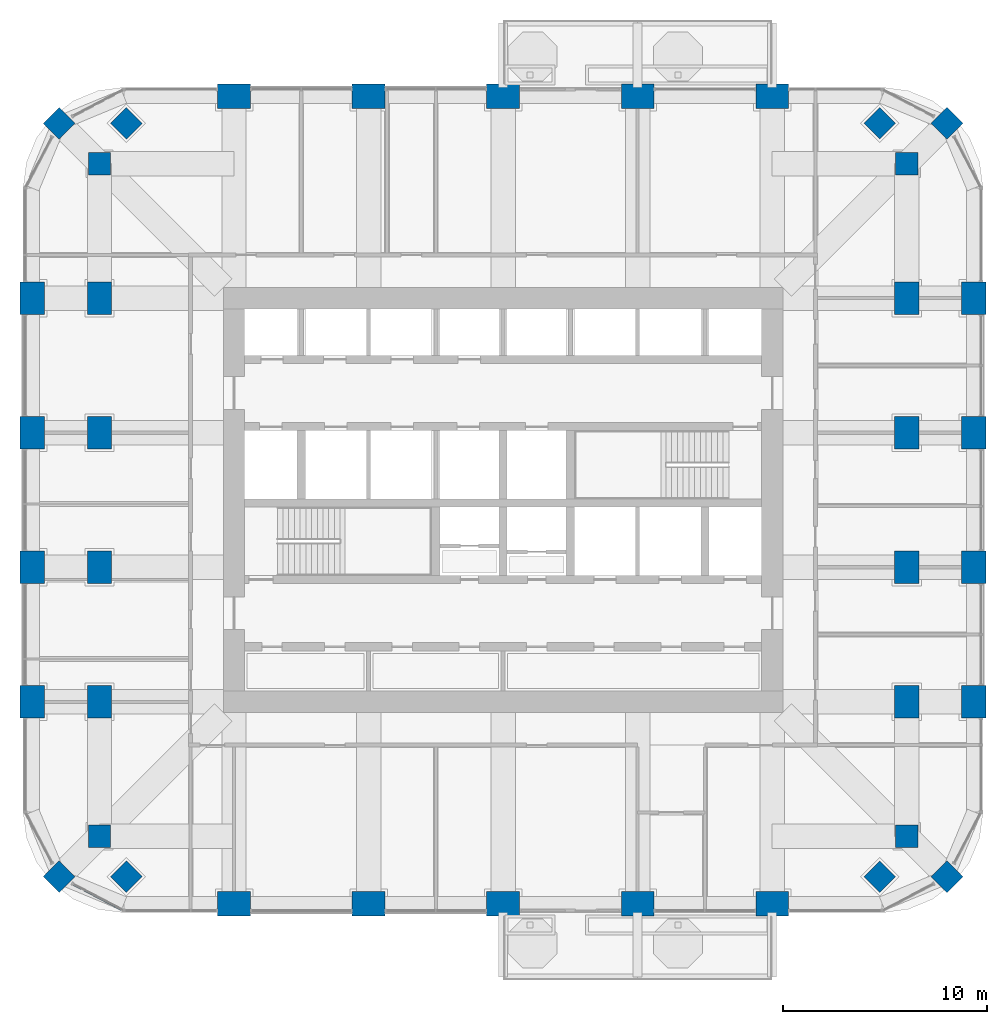
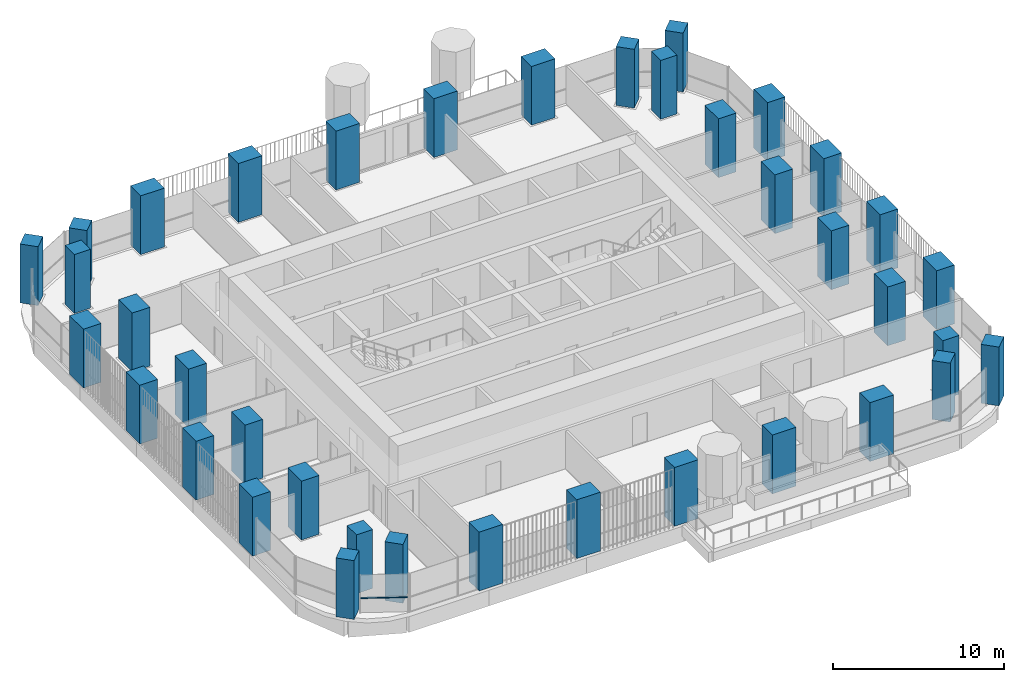
# One storey, part 1 of 20: 38 columns, 1 member, 1 element without a shape of its own.
"""IFC4 building model written with IfcOpenShell, lengths in metres."""

from ifc_helpers import new_model, si_unit, direction, frame, origin, origin_2d, place, context, subcontext, project, spatial, rectangle, extrude, material, material_profile, profile_set, type_object, element, aggregate, save


model = new_model("IFC4")

# Units and contexts
model_context = context("Model", 3, precision=1e-05, world=origin(), true_north=direction((0.0, 1.0)))
body_context = subcontext(model_context, "Body", "Model", "MODEL_VIEW")
ifc_project = project(units=[si_unit("LENGTHUNIT", "METRE"), si_unit("AREAUNIT", "SQUARE_METRE"), si_unit("VOLUMEUNIT", "CUBIC_METRE"), si_unit("PLANEANGLEUNIT", "RADIAN"), si_unit("MASSUNIT", "GRAM", prefix="KILO")], contexts=[model_context])

# Site, building, storey
site_placement = place(None, origin())
site = spatial("IfcSite", under=ifc_project, at=site_placement, CompositionType="ELEMENT")
building_placement = place(site_placement, origin())
building = spatial("IfcBuilding", under=site, at=building_placement, Name="Cobogo Forest Laboratory Tower", CompositionType="ELEMENT")
storey_placement = place(building_placement, frame((0.0, 0.0, 180.89990234375)))
storey = spatial("IfcBuildingStorey", under=building, at=storey_placement, Name="L41", CompositionType="ELEMENT", Elevation=180.89990234375)

# Columns
ifc_material_1 = material(Name="Concrete HA-50 (C50/60)", Category="concrete")
ifc_material_profile_1 = material_profile(ifc_material_1, rectangle(XDim=1.60009765625, YDim=1.199951171875, at=origin_2d()), Name="RC 1200x1600")
ifc_profile_set_1 = profile_set([ifc_material_profile_1], Name="Concrete HA-50 (C50/60)")
column_type_1 = type_object("IfcColumnType", Name="Blade column 1200x1600", PredefinedType="COLUMN", material=ifc_profile_set_1)
for number, where, z_axis, x_axis, name in (
    (1, (13.199951171875, 3.300048828125, 0.0), (0.0, 0.0, 1.0), (1.0, 0.0, 0.0), "Column 3-A.1 L41"),
    (2, (19.800048828125, 3.300048828125, 0.0), (0.0, 0.0, 1.0), (1.0, 0.0, 0.0), "Column 4-A.1 L41"),
    (3, (26.39990234375, 3.300048828125, 0.0), (0.0, 0.0, 1.0), (1.0, 0.0, 0.0), "Column 5-A.1 L41"),
    (4, (33.0, 3.300048828125, 0.0), (0.0, 0.0, 1.0), (1.0, 0.0, 0.0), "Column 6-A.1 L41"),
    (5, (39.60009765625, 3.300048828125, 0.0), (0.0, 0.0, 1.0), (1.0, 0.0, 0.0), "Column 7-A.1 L41"),
    (6, (3.300048828125, 13.199951171875, 0.0), (0.0, 0.0, 1.0), (0.0, 1.0, 0.0), "Column 1.1-C L41"),
    (7, (49.5, 13.199951171875, 0.0), (0.0, 0.0, 1.0), (0.0, 1.0, 0.0), "Column 8.1-C L41"),
    (8, (3.300048828125, 19.800048828125, 0.0), (0.0, 0.0, 1.0), (0.0, 1.0, 0.0), "Column 1.1-D L41"),
    (9, (49.5, 19.800048828125, 0.0), (0.0, 0.0, 1.0), (0.0, 1.0, 0.0), "Column 8.1-D L41"),
    (10, (3.300048828125, 26.39990234375, 0.0), (0.0, 0.0, 1.0), (0.0, 1.0, 0.0), "Column 1.1-E L41"),
    (11, (49.5, 26.39990234375, 0.0), (0.0, 0.0, 1.0), (0.0, 1.0, 0.0), "Column 8.1-E L41"),
    (12, (3.300048828125, 33.0, 0.0), (0.0, 0.0, 1.0), (0.0, 1.0, 0.0), "Column 1.1-F L41"),
    (13, (49.5, 33.0, 0.0), (0.0, 0.0, 1.0), (0.0, 1.0, 0.0), "Column 8.1-F L41"),
    (14, (13.199951171875, 42.89990234375, 0.0), (0.0, 0.0, 1.0), (1.0, 0.0, 0.0), "Column 3-G.1 L41"),
    (15, (19.800048828125, 42.89990234375, 0.0), (0.0, 0.0, 1.0), (1.0, 0.0, 0.0), "Column 4-G.1 L41"),
    (16, (26.39990234375, 42.89990234375, 0.0), (0.0, 0.0, 1.0), (1.0, 0.0, 0.0), "Column 5-G.1 L41"),
    (17, (33.0, 42.89990234375, 0.0), (0.0, 0.0, 1.0), (1.0, 0.0, 0.0), "Column 6-G.1 L41"),
    (18, (39.60009765625, 42.89990234375, 0.0), (0.0, 0.0, 1.0), (1.0, 0.0, 0.0), "Column 7-G.1 L41"),
    (19, (6.60009765625, 13.199951171875, 0.0), (0.0, 0.0, 1.0), (0.0, 1.0, 0.0), "Column 2-C-D L41"),
    (20, (46.199951171875, 13.199951171875, 0.0), (0.0, 0.0, 1.0), (0.0, 1.0, 0.0), "Column 8-C-D L41"),
    (21, (6.60009765625, 19.800048828125, 0.0), (0.0, 0.0, 1.0), (0.0, 1.0, 0.0), "Column 2-D-D L41"),
    (22, (46.199951171875, 19.800048828125, 0.0), (0.0, 0.0, 1.0), (0.0, 1.0, 0.0), "Column 8-D-D L41"),
    (23, (6.60009765625, 26.39990234375, 0.0), (0.0, 0.0, 1.0), (0.0, 1.0, 0.0), "Column 2-E-D L41"),
    (24, (46.199951171875, 26.39990234375, 0.0), (0.0, 0.0, 1.0), (0.0, 1.0, 0.0), "Column 8-E-D L41"),
    (25, (6.60009765625, 33.0, 0.0), (0.0, 0.0, 1.0), (0.0, 1.0, 0.0), "Column 2-F-D L41"),
    (26, (46.199951171875, 33.0, 0.0), (0.0, 0.0, 1.0), (0.0, 1.0, 0.0), "Column 8-F-D L41"),
):
    element("IfcColumn", number, at=place(storey_placement, frame(where, z_axis=z_axis, x_axis=x_axis)), inside=storey, type_object=column_type_1, Name=name, PredefinedType="COLUMN", context=body_context, shape_type="SweptSolid", body=[
        extrude(rectangle(XDim=1.60009765625, YDim=1.199951171875, at=origin_2d()), origin(), (0.0, 0.0, 1.0), 4.2001953125),
    ])
ifc_material_profile_2 = material_profile(ifc_material_1, rectangle(XDim=1.10009765625, YDim=1.10009765625, at=origin_2d()), Name="RC 1100x1100")
ifc_profile_set_2 = profile_set([ifc_material_profile_2], Name="Concrete HA-50 (C50/60)")
column_type_2 = type_object("IfcColumnType", Name="Column 1100x1100", PredefinedType="COLUMN", material=ifc_profile_set_2)
for number, where, z_axis, x_axis, name in (
    (27, (4.617919921875, 4.617919921875, 0.0), (0.0, 0.0, 1.0), (0.707106781187, 0.707106781187, 0.0), "Column CNR-SW L41"),
    (28, (48.181884765625, 4.617919921875, 0.0), (0.0, 0.0, 1.0), (0.707106781187, 0.707106781187, 0.0), "Column CNR-SE L41"),
    (29, (4.617919921875, 41.58203125, 0.0), (0.0, 0.0, 1.0), (0.707106781187, 0.707106781187, 0.0), "Column CNR-NW L41"),
    (30, (48.181884765625, 41.58203125, 0.0), (0.0, 0.0, 1.0), (0.707106781187, 0.707106781187, 0.0), "Column CNR-NE L41"),
    (31, (6.60009765625, 6.60009765625, 0.0), (0.0, 0.0, 1.0), (1.0, 0.0, 0.0), "Column 2-B L41"),
    (32, (46.199951171875, 6.60009765625, 0.0), (0.0, 0.0, 1.0), (1.0, 0.0, 0.0), "Column 8-B L41"),
    (33, (6.60009765625, 39.60009765625, 0.0), (0.0, 0.0, 1.0), (1.0, 0.0, 0.0), "Column 2-G L41"),
    (34, (46.199951171875, 39.60009765625, 0.0), (0.0, 0.0, 1.0), (1.0, 0.0, 0.0), "Column 8-G L41"),
    (35, (7.91796875, 4.617919921875, 0.0), (0.0, 0.0, 1.0), (0.707106781187, 0.707106781187, 0.0), "Column CNR-SW-D L41"),
    (36, (44.882080078125, 4.617919921875, 0.0), (0.0, 0.0, 1.0), (0.707106781187, 0.707106781187, 0.0), "Column CNR-SE-D L41"),
    (37, (7.91796875, 41.58203125, 0.0), (0.0, 0.0, 1.0), (0.707106781187, 0.707106781187, 0.0), "Column CNR-NW-D L41"),
    (38, (44.882080078125, 41.58203125, 0.0), (0.0, 0.0, 1.0), (0.707106781187, 0.707106781187, 0.0), "Column CNR-NE-D L41"),
):
    element("IfcColumn", number, at=place(storey_placement, frame(where, z_axis=z_axis, x_axis=x_axis)), inside=storey, type_object=column_type_2, Name=name, PredefinedType="COLUMN", context=body_context, shape_type="SweptSolid", body=[
        extrude(rectangle(XDim=1.10009765625, YDim=1.10009765625, at=origin_2d()), origin(), (0.0, 0.0, 1.0), 4.2001953125),
    ])

# Curtain wall, member
ifc_material_2 = material(Name="Aluminium curtain wall", Category="aluminium")
curtain_wall_type = type_object("IfcCurtainWallType", Name="CW-2 unitised curtain wall, solar control glazing, laboratory floors zones C and D", PredefinedType="USERDEFINED", material=ifc_material_2)
curtain_wall_placement = place(storey_placement, origin())
curtain_wall = element("IfcCurtainWall", 39, at=curtain_wall_placement, inside=storey, type_object=curtain_wall_type, Name="Curtain wall 30 L41", ObjectType="UNITISED CURTAIN WALL", PredefinedType="USERDEFINED")
ifc_material_3 = material(Name="Aluminium transom", Category="aluminium")
ifc_material_profile_3 = material_profile(ifc_material_3, rectangle(XDim=0.1201171875, YDim=0.06005859375, at=origin_2d()), Name="AL 60x120")
ifc_profile_set_3 = profile_set([ifc_material_profile_3], Name="Aluminium transom")
member_type = type_object("IfcMemberType", Name="TR-1 aluminium transom 60x120", PredefinedType="USERDEFINED", material=ifc_profile_set_3)
member_placement = place(storey_placement, frame((5.302001953125, 4.259521484375, 1.050048828125), z_axis=(0.885665294301, -0.464324225592, 0.0), x_axis=(0.464324225592, 0.885665294301, 0.0)))
member = element("IfcMember", 40, at=member_placement, type_object=member_type, Name="CW-2 transom 1.1", ObjectType="TRANSOM", PredefinedType="USERDEFINED", context=body_context, shape_type="SweptSolid", body=[
    extrude(rectangle(XDim=0.1201171875, YDim=0.06005859375, at=origin_2d()), origin(), (0.0, 0.0, 1.0), 2.760498046875),
])
aggregate(curtain_wall, [member])

save(model, "model.ifc")
